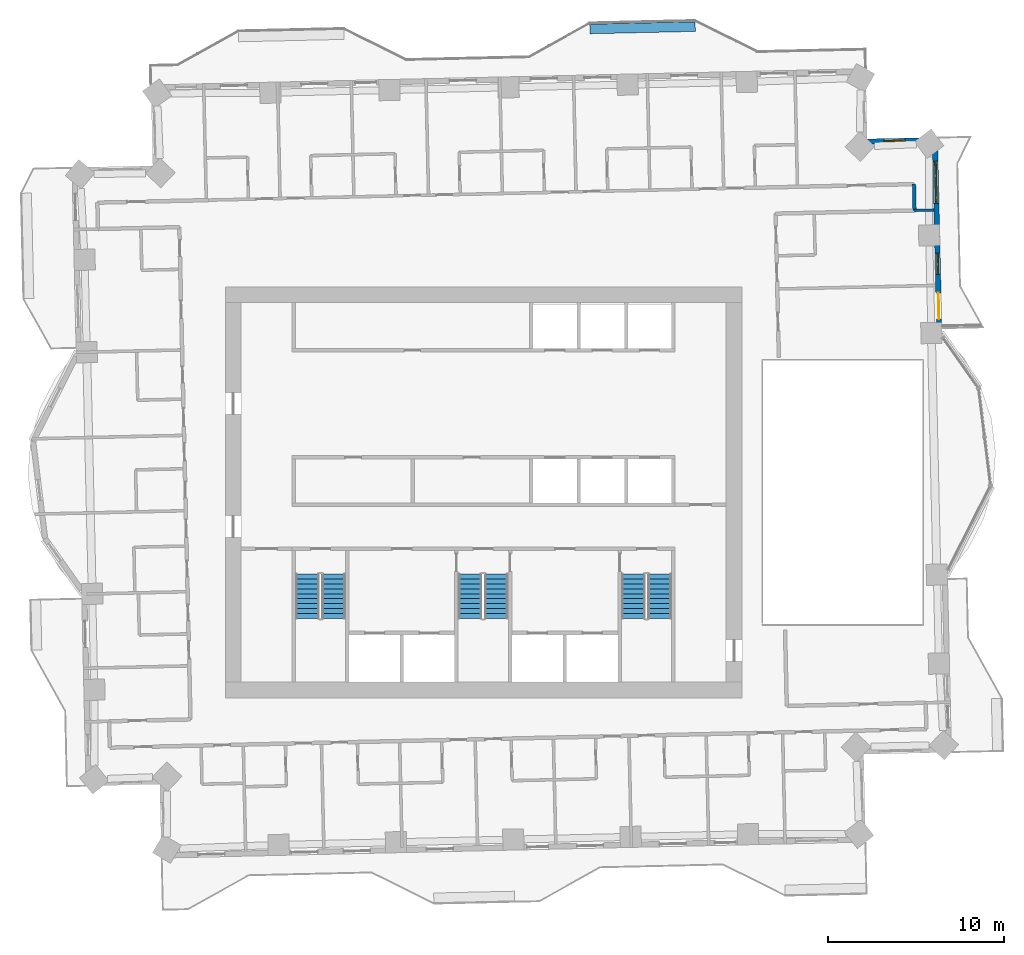
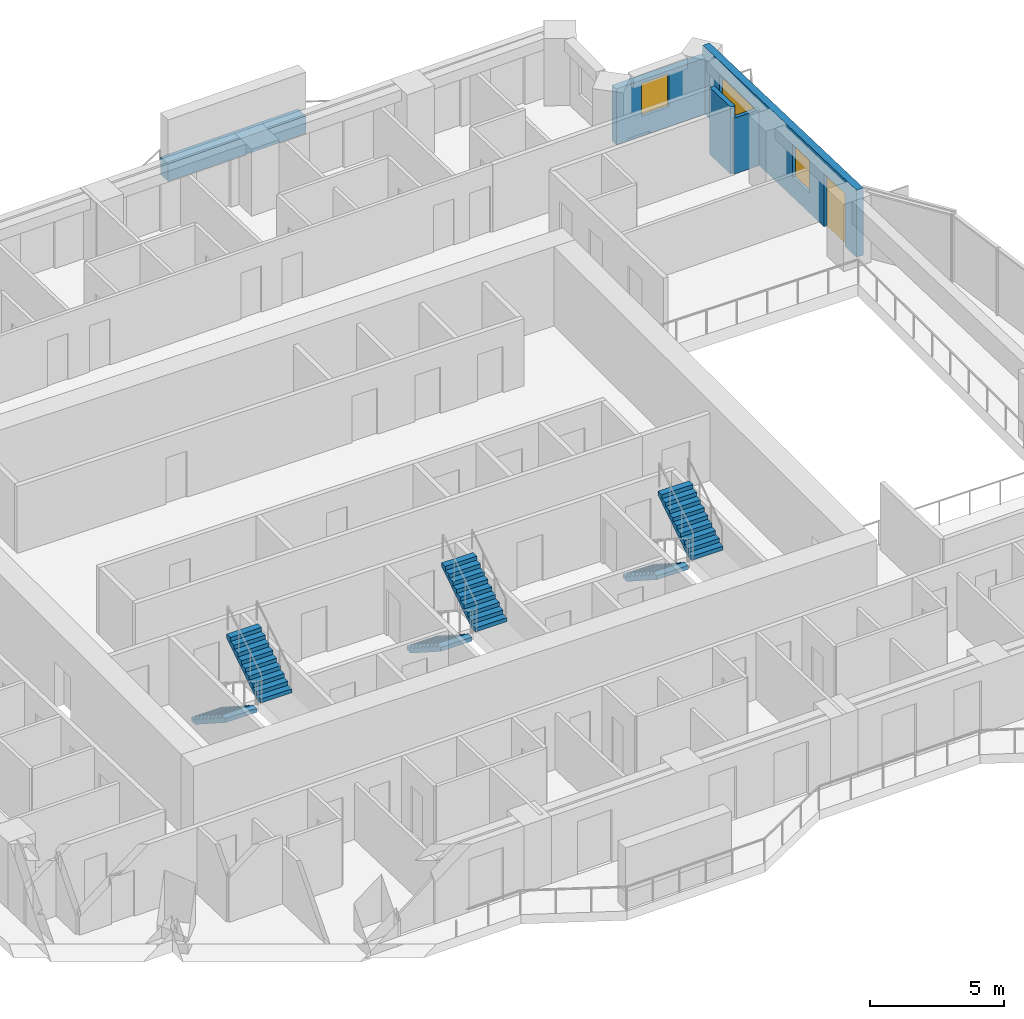
# One storey, part 10 of 14: 6 stair flights, 5 walls, 3 windows, 1 door, 4 openings, 3 elements without a shape of their own.
"""IFC4 building model written with IfcOpenShell, lengths in metres."""

import ifcopenshell
import ifcopenshell.guid

model = None  # the IFC model being written
_history = None  # IfcOwnerHistory: only IFC2X3 demands one
_inside = {}  # id of a spatial element -> (the spatial element, [elements in it])
_under = {}  # id of a project, library or spatial element -> (it, [spatial elements below it])
_declared = {}  # id of a project -> (the project, [libraries it declares])
_typed = {}  # id of a type object -> (the type object, [elements of that type])
_made_of = {}  # id of a material, layer set ... -> (it, [elements and type objects made of it])


def new_model(schema):
    """Start an empty IFC model of exactly this schema.

    Asked for "IFC4X3", IfcOpenShell would pick the latest addendum, in which some entities
    have other attributes; the version numbers below select the first issue.
    IFC2X3 requires an IfcOwnerHistory on every rooted entity: one is made here for all.
    """
    global model, _history
    if schema == "IFC4X3":
        model = ifcopenshell.file(schema_version=(4, 3, 0, 0))
    else:
        model = ifcopenshell.file(schema=schema)
    _inside.clear()
    _under.clear()
    _declared.clear()
    _typed.clear()
    _made_of.clear()
    _history = None
    if model.schema == "IFC2X3":
        org = make("IfcOrganization", Name="unknown")
        user = make(
            "IfcPersonAndOrganization",
            ThePerson=make("IfcPerson", FamilyName="unknown"),
            TheOrganization=org,
        )
        app = make(
            "IfcApplication",
            ApplicationDeveloper=org,
            Version="unknown",
            ApplicationFullName="unknown",
            ApplicationIdentifier="unknown",
        )
        _history = make(
            "IfcOwnerHistory",
            OwningUser=user,
            OwningApplication=app,
            ChangeAction="ADDED",
            CreationDate=0,
        )
    return model


def make(cls, **values):
    """One entity of the class cls with the attributes given. An attribute that is None is left unset."""
    return model.create_entity(
        cls, **{name: value for name, value in values.items() if value is not None}
    )


def rooted(cls, **values):
    """An entity with a GlobalId (a new one), such as an element, a storey or a relation."""
    return make(cls, GlobalId=ifcopenshell.guid.new(), OwnerHistory=_history, **values)


def si_unit(unit_type, name, prefix=None):
    """IfcSIUnit, for example si_unit("LENGTHUNIT", "METRE", prefix="MILLI")."""
    return make("IfcSIUnit", UnitType=unit_type, Prefix=prefix, Name=name)


def assignment(units):
    """IfcUnitAssignment: the units of a project."""
    return None if units is None else make("IfcUnitAssignment", Units=units)


def point(xyz):
    """IfcCartesianPoint."""
    return None if xyz is None else make("IfcCartesianPoint", Coordinates=xyz)


def direction(xyz):
    """IfcDirection."""
    return None if xyz is None else make("IfcDirection", DirectionRatios=xyz)


def frame(location, z_axis=None, x_axis=None):
    """IfcAxis2Placement3D, a coordinate frame: its origin and axes. An axis left out is left unset."""
    return make(
        "IfcAxis2Placement3D",
        Location=point(location),
        Axis=direction(z_axis),
        RefDirection=direction(x_axis),
    )


def frame_2d(location, x_axis=None):
    """IfcAxis2Placement2D, a coordinate frame in the plane: its origin and x axis."""
    return make(
        "IfcAxis2Placement2D", Location=point(location), RefDirection=direction(x_axis)
    )


def origin():
    """The frame at (0, 0, 0) with its axes left unset."""
    return frame((0.0, 0.0, 0.0))


def place(relative_to, where):
    """IfcLocalPlacement: puts the frame where relative to a parent placement (None: the world)."""
    return make(
        "IfcLocalPlacement", PlacementRelTo=relative_to, RelativePlacement=where
    )


def context(
    kind, dimensions, precision=None, world=None, true_north=None, identifier=None
):
    """IfcGeometricRepresentationContext, for example the 3D "Model" context."""
    return make(
        "IfcGeometricRepresentationContext",
        ContextIdentifier=identifier,
        ContextType=kind,
        CoordinateSpaceDimension=dimensions,
        Precision=precision,
        WorldCoordinateSystem=world,
        TrueNorth=true_north,
    )


def subcontext(parent, identifier, kind, view, scale=None):
    """IfcGeometricRepresentationSubContext, for example "Body" below "Model"."""
    return make(
        "IfcGeometricRepresentationSubContext",
        ContextIdentifier=identifier,
        ContextType=kind,
        ParentContext=parent,
        TargetScale=scale,
        TargetView=view,
    )


def project(units=None, contexts=None):
    """IfcProject with its units and contexts."""
    return rooted(
        "IfcProject",
        Name="project",
        RepresentationContexts=contexts,
        UnitsInContext=assignment(units),
    )


def spatial(cls, under=None, at=None, **own):
    """A site, building, storey or space (cls), placed at a placement, below another one or the project."""
    s = rooted(cls, ObjectPlacement=at, **own)
    if under is not None:
        _under.setdefault(under.id(), (under, []))[1].append(s)
    return s


def polyline(points):
    """IfcPolyline through the points."""
    return make("IfcPolyline", Points=[point(p) for p in points])


def profile(cls, at=None, kind="AREA", **sizes):
    """A parametric profile (cls). Its sizes go by their IFC names, for example OverallWidth=200.0."""
    return make(cls, ProfileType=kind, Position=at, **sizes)


def rectangle(**sizes):
    """IfcRectangleProfileDef."""
    return profile("IfcRectangleProfileDef", **sizes)


def outline(outer, holes=None, kind="AREA"):
    """IfcArbitraryClosedProfileDef: a profile drawn as a closed curve; with holes, ...WithVoids."""
    if holes is None:
        return make("IfcArbitraryClosedProfileDef", ProfileType=kind, OuterCurve=outer)
    return make(
        "IfcArbitraryProfileDefWithVoids",
        ProfileType=kind,
        OuterCurve=outer,
        InnerCurves=holes,
    )


def extrude(swept, where, along, depth):
    """IfcExtrudedAreaSolid: the profile swept, set in the frame where, extruded along a direction by depth."""
    return make(
        "IfcExtrudedAreaSolid",
        SweptArea=swept,
        Position=where,
        ExtrudedDirection=direction(along),
        Depth=depth,
    )


def shape(context_of_items, identifier, shape_type, items):
    """IfcShapeRepresentation: the items that make up one representation, for example the "Body"."""
    return make(
        "IfcShapeRepresentation",
        ContextOfItems=context_of_items,
        RepresentationIdentifier=identifier,
        RepresentationType=shape_type,
        Items=items,
    )


def material(Name=None, Category=None):
    """IfcMaterial."""
    return make("IfcMaterial", Name=Name, Category=Category)


def layer(
    of_material, thickness, ventilated=None, Name=None, Category=None, Priority=None
):
    """IfcMaterialLayer: one layer of a wall or slab, of a material (None: an air gap)."""
    return make(
        "IfcMaterialLayer",
        Material=of_material,
        LayerThickness=thickness,
        IsVentilated=ventilated,
        Name=Name,
        Category=Category,
        Priority=Priority,
    )


def layer_set(layers, Name=None):
    """IfcMaterialLayerSet."""
    return make("IfcMaterialLayerSet", MaterialLayers=layers, LayerSetName=Name)


def made_of(thing, what):
    """Note that an element or type object is made of a material, layer set ...; save() writes the relation."""
    if what is not None:
        _made_of.setdefault(what.id(), (what, []))[1].append(thing)
    return thing


def type_object(cls, material=None, **own):
    """A type object (cls), such as IfcWallType, which elements share."""
    return made_of(rooted(cls, **own), material)


def element(
    cls,
    number,
    at=None,
    inside=None,
    cuts=None,
    type_object=None,
    material=None,
    context=None,
    identifier="Body",
    shape_type=None,
    held_by="IfcProductDefinitionShape",
    body=None,
    shapes=None,
    **own,
):
    """One element of the class cls, such as IfcWall. Its Tag is "e" and its number.

    at: its placement. inside: the storey or other place that contains it. cuts: it is an
    opening in that element (IfcRelVoidsElement). A single representation is given by context,
    identifier, shape_type and body (its items); several are given by shapes. held_by: the class
    of the entity that holds the representations. save() writes the other relations.
    """
    e = rooted(cls, Tag="e%d" % number, ObjectPlacement=at, **own)
    if body is not None:
        shapes = [shape(context, identifier, shape_type, body)]
    if shapes is not None:
        e.Representation = make(held_by, Representations=shapes)
    if inside is not None:
        _inside.setdefault(inside.id(), (inside, []))[1].append(e)
    if cuts is not None:
        rooted(
            "IfcRelVoidsElement", RelatingBuildingElement=cuts, RelatedOpeningElement=e
        )
    if type_object is not None:
        _typed.setdefault(type_object.id(), (type_object, []))[1].append(e)
    return made_of(e, material)


def fill(opening, filler):
    """IfcRelFillsElement: the door or window that sits in an opening."""
    return rooted(
        "IfcRelFillsElement",
        RelatingOpeningElement=opening,
        RelatedBuildingElement=filler,
    )


def aggregate(whole, parts):
    """IfcRelAggregates: a whole, such as a stair, and the parts it consists of."""
    return rooted("IfcRelAggregates", RelatingObject=whole, RelatedObjects=parts)


def save(model, path):
    """Write the relations noted so far, then the file.

    IfcRelAggregates (storeys below a building ...), IfcRelContainedInSpatialStructure (elements
    in a storey), IfcRelDefinesByType, IfcRelAssociatesMaterial and IfcRelDeclares: one each for
    every whole, place, type object, material and project.
    """
    for whole, parts in _under.values():
        aggregate(whole, parts)
    for where, things in _inside.values():
        rooted(
            "IfcRelContainedInSpatialStructure",
            RelatedElements=things,
            RelatingStructure=where,
        )
    for kind, things in _typed.values():
        rooted("IfcRelDefinesByType", RelatedObjects=things, RelatingType=kind)
    for what, things in _made_of.values():
        rooted("IfcRelAssociatesMaterial", RelatedObjects=things, RelatingMaterial=what)
    for by, libraries in _declared.values():
        rooted("IfcRelDeclares", RelatingContext=by, RelatedDefinitions=libraries)
    model.write(path)


model = new_model("IFC4")

# Units and contexts
model_context = context("Model", 3, precision=1e-05, world=origin(), true_north=direction((0.0, 1.0)))
body_context = subcontext(model_context, "Body", "Model", "MODEL_VIEW")
ifc_project = project(units=[si_unit("LENGTHUNIT", "METRE"), si_unit("AREAUNIT", "SQUARE_METRE"), si_unit("VOLUMEUNIT", "CUBIC_METRE"), si_unit("PLANEANGLEUNIT", "RADIAN"), si_unit("MASSUNIT", "GRAM", prefix="KILO")], contexts=[model_context])

# Site, building, storey
site_placement = place(None, origin())
site = spatial("IfcSite", under=ifc_project, at=site_placement, CompositionType="ELEMENT")
building_placement = place(site_placement, origin())
building = spatial("IfcBuilding", under=site, at=building_placement, Name="Mangrove Gate Tower", CompositionType="ELEMENT")
storey_placement = place(building_placement, frame((0.0, 0.0, 186.10009765625)))
storey = spatial("IfcBuildingStorey", under=building, at=storey_placement, Name="L47", CompositionType="ELEMENT", Elevation=186.10009765625)

# Wall
ifc_material_1 = material(Name="Gypsum board on steel stud, EI 60", Category="steel")
ifc_layer_1 = layer(ifc_material_1, 0.199951171875)
ifc_layer_set_1 = layer_set([ifc_layer_1], Name="Corridor wall EI 60")
wall_type_1 = type_object("IfcWallType", Name="Corridor wall EI 60", PredefinedType="PARTITIONING", material=ifc_layer_set_1)
wall_1_placement = place(storey_placement, frame((24.51904296875, 16.048095703125, 0.0), z_axis=(0.0, 0.0, 1.0), x_axis=(-0.022632637625, 0.99974384905, 0.0)))
element("IfcWall", 1, at=wall_1_placement, inside=storey, type_object=wall_type_1, Name="WALL-L47-057", PredefinedType="PARTITIONING", context=body_context, shape_type="SweptSolid", body=[
    extrude(rectangle(XDim=1.49951171875, YDim=0.199951171875, at=frame_2d((0.749755859375, 0.0))), origin(), (0.0, 0.0, 1.0), 3.0498046875),
])

# Wall, openings, door, windows
ifc_material_2 = material(Name="Limestone", Category="masonry")
ifc_layer_2 = layer(ifc_material_2, 0.0400390625, Name="Limestone cladding")
ifc_material_3 = material(Name="Ventilated air gap")
ifc_layer_3 = layer(ifc_material_3, 0.0400390625, Name="Ventilated cavity")
ifc_material_4 = material(Name="Mineral wool insulation")
ifc_layer_4 = layer(ifc_material_4, 0.06005859375, Name="Insulation")
ifc_material_5 = material(Name="Breather membrane")
ifc_layer_5 = layer(ifc_material_5, 0.001953125, Name="Breather membrane")
ifc_material_6 = material(Name="Concrete C20/25 blockwork", Category="masonry")
ifc_layer_6 = layer(ifc_material_6, 0.14990234375, Name="Blockwork backing wall")
ifc_material_7 = material(Name="Gypsum plaster")
ifc_layer_7 = layer(ifc_material_7, 0.008056640625, Name="Internal plaster")
ifc_layer_set_2 = layer_set([ifc_layer_2, ifc_layer_3, ifc_layer_4, ifc_layer_5, ifc_layer_6, ifc_layer_7], Name="External wall 300 limestone cladding")
wall_type_2 = type_object("IfcWallType", Name="External wall 300 limestone cladding", PredefinedType="SOLIDWALL", material=ifc_layer_set_2)
wall_2_placement = place(storey_placement, frame((25.928955078125, 9.02490234375, 0.0), z_axis=(0.0, 0.0, 1.0), x_axis=(-0.022667601583, 0.999743056909, 0.0)))
wall_2 = element("IfcWall", 2, at=wall_2_placement, inside=storey, type_object=wall_type_2, Name="WALL-L47-E2", PredefinedType="SOLIDWALL", context=body_context, shape_type="SweptSolid", body=[
    extrude(rectangle(XDim=11.029052734375, YDim=0.300048828125, at=frame_2d((5.5146484375, 0.0))), origin(), (0.0, 0.0, 1.0), 3.0498046875),
])
opening_1_placement = place(wall_2_placement, frame((0.8330078125, 0.0, 0.0)))
opening_1 = element("IfcOpeningElement", 3, at=opening_1_placement, cuts=wall_2, Name="Opening BD1", PredefinedType="OPENING", context=body_context, shape_type="SweptSolid", body=[
    extrude(rectangle(XDim=1.5, YDim=2.39990234375, at=frame_2d((0.75, 1.199951171875))), frame((0.0, 0.159912109375, 0.0), z_axis=(0.0, -1.0, 0.0), x_axis=(1.0, 0.0, 0.0)), (0.0, 0.0, 1.0), 0.320068359375),
])
opening_2_placement = place(wall_2_placement, frame((3.388916015625, 0.0, 0.89990234375)))
opening_2 = element("IfcOpeningElement", 4, at=opening_2_placement, cuts=wall_2, Name="Opening W1", PredefinedType="OPENING", context=body_context, shape_type="SweptSolid", body=[
    extrude(rectangle(XDim=1.199951171875, YDim=1.5, at=frame_2d((0.60009765625, 0.75))), frame((0.0, 0.159912109375, 0.0), z_axis=(0.0, -1.0, 0.0), x_axis=(1.0, 0.0, 0.0)), (0.0, 0.0, 1.0), 0.320068359375),
])
opening_3_placement = place(wall_2_placement, frame((7.422119140625, 0.0, 0.89990234375)))
opening_3 = element("IfcOpeningElement", 5, at=opening_3_placement, cuts=wall_2, Name="Opening W2", PredefinedType="OPENING", context=body_context, shape_type="SweptSolid", body=[
    extrude(rectangle(XDim=2.39990234375, YDim=1.5, at=frame_2d((1.199951171875, 0.75))), frame((0.0, 0.159912109375, 0.0), z_axis=(0.0, -1.0, 0.0), x_axis=(1.0, 0.0, 0.0)), (0.0, 0.0, 1.0), 0.320068359375),
])
ifc_material_8 = material(Name="Aluminium frame with laminated clear glass", Category="aluminium")
door_type = type_object("IfcDoorType", Name="Balcony sliding door 1500x2400", OperationType="SLIDING_TO_LEFT", PredefinedType="DOOR", material=ifc_material_8)
door_placement = place(opening_1_placement, origin())
door = element("IfcDoor", 6, at=door_placement, inside=storey, type_object=door_type, Name="DOOR-L47-E2-1", OperationType="SLIDING_TO_LEFT", OverallHeight=2.39990234375, OverallWidth=1.5, PredefinedType="DOOR", context=body_context, shape_type="SweptSolid", body=[
    extrude(rectangle(XDim=1.5, YDim=2.39990234375, at=frame_2d((0.75, 1.199951171875))), frame((0.0, 0.02490234375, 0.0), z_axis=(0.0, -1.0, 0.0), x_axis=(1.0, 0.0, 0.0)), (0.0, 0.0, 1.0), 0.050048828125),
])
fill(opening_1, door)
ifc_material_9 = material(Name="Aluminium frame with double-glazed low-e glass", Category="aluminium")
window_type_1 = type_object("IfcWindowType", Name="Corner room window 2400x1500", PartitioningType="DOUBLE_PANEL_VERTICAL", PredefinedType="WINDOW", material=ifc_material_9)
window_1_placement = place(opening_3_placement, origin())
window_1 = element("IfcWindow", 7, at=window_1_placement, inside=storey, type_object=window_type_1, Name="WIN-L47-E2-3", OverallHeight=1.5, OverallWidth=2.39990234375, PartitioningType="DOUBLE_PANEL_VERTICAL", PredefinedType="WINDOW", context=body_context, shape_type="SweptSolid", body=[
    extrude(rectangle(XDim=2.39990234375, YDim=1.5, at=frame_2d((1.199951171875, 0.75))), frame((0.0, 0.030029296875, 0.0), z_axis=(0.0, -1.0, 0.0), x_axis=(1.0, 0.0, 0.0)), (0.0, 0.0, 1.0), 0.06005859375),
])
fill(opening_3, window_1)
ifc_material_10 = material(Name="Aluminium frame with double-glazed low-e glass", Category="aluminium")
window_type_2 = type_object("IfcWindowType", Name="Side lite 1200x1500", PartitioningType="SINGLE_PANEL", PredefinedType="WINDOW", material=ifc_material_10)
window_2_placement = place(opening_2_placement, origin())
window_2 = element("IfcWindow", 8, at=window_2_placement, inside=storey, type_object=window_type_2, Name="WIN-L47-E2-2", OverallHeight=1.5, OverallWidth=1.199951171875, PartitioningType="SINGLE_PANEL", PredefinedType="WINDOW", context=body_context, shape_type="SweptSolid", body=[
    extrude(rectangle(XDim=1.199951171875, YDim=1.5, at=frame_2d((0.60009765625, 0.75))), frame((0.0, 0.030029296875, 0.0), z_axis=(0.0, -1.0, 0.0), x_axis=(1.0, 0.0, 0.0)), (0.0, 0.0, 1.0), 0.06005859375),
])
fill(opening_2, window_2)

# Wall, opening, window
wall_3_placement = place(storey_placement, frame((25.678955078125, 20.051025390625, 0.0), z_axis=(0.0, 0.0, 1.0), x_axis=(-0.999740826251, -0.022765770952, 0.0)))
wall_3 = element("IfcWall", 9, at=wall_3_placement, inside=storey, type_object=wall_type_2, Name="WALL-L47-N3", PredefinedType="SOLIDWALL", context=body_context, shape_type="SweptSolid", body=[
    extrude(rectangle(XDim=4.0, YDim=0.300048828125, at=frame_2d((2.0, 0.0))), origin(), (0.0, 0.0, 1.0), 2.5498046875),
])
opening_4_placement = place(wall_3_placement, frame((1.699951171875, 0.0, 0.89990234375)))
opening_4 = element("IfcOpeningElement", 10, at=opening_4_placement, cuts=wall_3, Name="Opening W1", PredefinedType="OPENING", context=body_context, shape_type="SweptSolid", body=[
    extrude(rectangle(XDim=1.199951171875, YDim=1.5, at=frame_2d((0.60009765625, 0.75))), frame((0.0, 0.159912109375, 0.0), z_axis=(0.0, -1.0, 0.0), x_axis=(1.0, 0.0, 0.0)), (0.0, 0.0, 1.0), 0.320068359375),
])
window_3_placement = place(opening_4_placement, origin())
window_3 = element("IfcWindow", 11, at=window_3_placement, inside=storey, type_object=window_type_2, Name="WIN-L47-N3-1", OverallHeight=1.5, OverallWidth=1.199951171875, PartitioningType="SINGLE_PANEL", PredefinedType="WINDOW", context=body_context, shape_type="SweptSolid", body=[
    extrude(rectangle(XDim=1.199951171875, YDim=1.5, at=frame_2d((0.60009765625, 0.75))), frame((0.0, 0.030029296875, 0.0), z_axis=(0.0, -1.0, 0.0), x_axis=(1.0, 0.0, 0.0)), (0.0, 0.0, 1.0), 0.06005859375),
])
fill(opening_4, window_3)

# Walls
ifc_material_11 = material(Name="Gypsum board on steel stud, EI 60", Category="steel")
ifc_layer_8 = layer(ifc_material_11, 0.14990234375)
ifc_layer_set_3 = layer_set([ifc_layer_8], Name="Party wall 150 EI 60")
wall_type_3 = type_object("IfcWallType", Name="Party wall 150 EI 60", PredefinedType="PARTITIONING", material=ifc_layer_set_3)
wall_4_placement = place(storey_placement, frame((24.51904296875, 16.0439453125, 0.0), z_axis=(0.0, 0.0, 1.0), x_axis=(0.999738732953, 0.022857511541, 0.0)))
element("IfcWall", 12, at=wall_4_placement, inside=storey, type_object=wall_type_3, Name="WALL-L47-055", PredefinedType="PARTITIONING", context=body_context, shape_type="SweptSolid", body=[
    extrude(rectangle(XDim=1.10009765625, YDim=0.14990234375, at=frame_2d((0.550048828125, 0.0))), origin(), (0.0, 0.0, 1.0), 2.5498046875),
])
ifc_material_12 = material(Name="Concrete C32/40", Category="concrete")
ifc_layer_9 = layer(ifc_material_12, 0.199951171875, Name="Planter trough wall")
ifc_material_13 = material(Name="Bituminous waterproofing membrane")
ifc_layer_10 = layer(ifc_material_13, 0.0048828125, Name="Waterproofing")
ifc_material_14 = material(Name="Drainage board and gravel")
ifc_layer_11 = layer(ifc_material_14, 0.044921875, Name="Drainage layer")
ifc_material_15 = material(Name="Planting soil")
ifc_layer_12 = layer(ifc_material_15, 0.300048828125, Name="Growing medium")
ifc_layer_set_4 = layer_set([ifc_layer_9, ifc_layer_10, ifc_layer_11, ifc_layer_12], Name="Planter wall 550 C32/40")
wall_type_4 = type_object("IfcWallType", Name="Planter wall 550 C32/40", PredefinedType="USERDEFINED", material=ifc_layer_set_4)
wall_5_placement = place(storey_placement, frame((6.0400390625, 26.3720703125, 0.0), z_axis=(0.0, 0.0, 1.0), x_axis=(0.999743094499, 0.022665943652, 0.0)))
element("IfcWall", 13, at=wall_5_placement, inside=storey, type_object=wall_type_4, Name="PLANTER L47 N0.1", ObjectType="PLANTER", PredefinedType="USERDEFINED", context=body_context, shape_type="SweptSolid", body=[
    extrude(rectangle(XDim=5.99951171875, YDim=0.550048828125, at=frame_2d((2.999755859375, 0.0))), origin(), (0.0, 0.0, 1.0), 0.7998046875),
])

# Stair, stair flights
ifc_material_16 = material(Name="Concrete C40/50", Category="concrete")
stair_type = type_object("IfcStairType", Name="Core stair 1350", PredefinedType="HALF_TURN_STAIR", material=ifc_material_16)
stair_1_placement = place(storey_placement, origin())
stair_1 = element("IfcStair", 14, at=stair_1_placement, inside=storey, type_object=stair_type, Name="L47 Stair 1", PredefinedType="HALF_TURN_STAIR")
ifc_material_17 = material(Name="Concrete C40/50", Category="concrete")
stair_flight_type = type_object("IfcStairFlightType", Name="Core stair flight 1350", PredefinedType="STRAIGHT", material=ifc_material_17)
stair_flight_1_placement = place(storey_placement, frame((-10.02490234375, -4.64990234375, 0.0), z_axis=(0.0, 0.0, 1.0), x_axis=(0.0, -1.0, 0.0)))
stair_flight_1 = element("IfcStairFlight", 15, at=stair_flight_1_placement, type_object=stair_flight_type, Name="ST1 flight 1", NumberOfRisers=10, NumberOfTreads=9, PredefinedType="STRAIGHT", RiserHeight=0.18, TreadLength=0.28, context=body_context, shape_type="SweptSolid", body=[
    extrude(outline(polyline([(0.0, 0.0), (0.0, 0.179931640625), (0.280029296875, 0.179931640625), (0.280029296875, 0.360107421875), (0.56005859375, 0.360107421875), (0.56005859375, 0.5400390625), (0.840087890625, 0.5400390625), (0.840087890625, 0.719970703125), (1.1201171875, 0.719970703125), (1.1201171875, 0.89990234375), (1.39990234375, 0.89990234375), (1.39990234375, 1.080078125), (1.679931640625, 1.080078125), (1.679931640625, 1.260009765625), (1.9599609375, 1.260009765625), (1.9599609375, 1.43994140625), (2.239990234375, 1.43994140625), (2.239990234375, 1.6201171875), (2.52001953125, 1.6201171875), (2.52001953125, 1.800048828125), (2.52001953125, 1.44189453125), (0.277099609375, 0.0), (0.0, 0.0)])), frame((0.0, 0.675048828125, 0.0), z_axis=(0.0, -1.0, 0.0), x_axis=(1.0, 0.0, 0.0)), (0.0, 0.0, 1.0), 1.35009765625),
])
stair_flight_2_placement = place(storey_placement, frame((-8.52490234375, -7.169921875, 1.7998046875), z_axis=(0.0, 0.0, 1.0), x_axis=(0.0, 1.0, 0.0)))
stair_flight_2 = element("IfcStairFlight", 16, at=stair_flight_2_placement, type_object=stair_flight_type, Name="ST1 flight 2", NumberOfRisers=10, NumberOfTreads=9, PredefinedType="STRAIGHT", RiserHeight=0.18, TreadLength=0.28, context=body_context, shape_type="SweptSolid", body=[
    extrude(outline(polyline([(0.0, 0.0), (0.0, 0.179931640625), (0.280029296875, 0.179931640625), (0.280029296875, 0.360107421875), (0.56005859375, 0.360107421875), (0.56005859375, 0.5400390625), (0.840087890625, 0.5400390625), (0.840087890625, 0.719970703125), (1.1201171875, 0.719970703125), (1.1201171875, 0.89990234375), (1.39990234375, 0.89990234375), (1.39990234375, 1.080078125), (1.679931640625, 1.080078125), (1.679931640625, 1.260009765625), (1.9599609375, 1.260009765625), (1.9599609375, 1.43994140625), (2.239990234375, 1.43994140625), (2.239990234375, 1.6201171875), (2.52001953125, 1.6201171875), (2.52001953125, 1.800048828125), (2.52001953125, 1.44189453125), (0.277099609375, 0.0), (0.0, 0.0)])), frame((0.0, 0.675048828125, 0.0), z_axis=(0.0, -1.0, 0.0), x_axis=(1.0, 0.0, 0.0)), (0.0, 0.0, 1.0), 1.35009765625),
])
aggregate(stair_1, [stair_flight_1, stair_flight_2])

stair_2_placement = place(storey_placement, origin())
stair_2 = element("IfcStair", 17, at=stair_2_placement, inside=storey, type_object=stair_type, Name="L47 Stair 2", PredefinedType="HALF_TURN_STAIR")
stair_flight_3_placement = place(storey_placement, frame((-0.77490234375, -4.64990234375, 0.0), z_axis=(0.0, 0.0, 1.0), x_axis=(0.0, -1.0, 0.0)))
stair_flight_3 = element("IfcStairFlight", 18, at=stair_flight_3_placement, type_object=stair_flight_type, Name="ST2 flight 1", NumberOfRisers=10, NumberOfTreads=9, PredefinedType="STRAIGHT", RiserHeight=0.18, TreadLength=0.28, context=body_context, shape_type="SweptSolid", body=[
    extrude(outline(polyline([(0.0, 0.0), (0.0, 0.179931640625), (0.280029296875, 0.179931640625), (0.280029296875, 0.360107421875), (0.56005859375, 0.360107421875), (0.56005859375, 0.5400390625), (0.840087890625, 0.5400390625), (0.840087890625, 0.719970703125), (1.1201171875, 0.719970703125), (1.1201171875, 0.89990234375), (1.39990234375, 0.89990234375), (1.39990234375, 1.080078125), (1.679931640625, 1.080078125), (1.679931640625, 1.260009765625), (1.9599609375, 1.260009765625), (1.9599609375, 1.43994140625), (2.239990234375, 1.43994140625), (2.239990234375, 1.6201171875), (2.52001953125, 1.6201171875), (2.52001953125, 1.800048828125), (2.52001953125, 1.44189453125), (0.277099609375, 0.0), (0.0, 0.0)])), frame((0.0, 0.675048828125, 0.0), z_axis=(0.0, -1.0, 0.0), x_axis=(1.0, 0.0, 0.0)), (0.0, 0.0, 1.0), 1.35009765625),
])
stair_flight_4_placement = place(storey_placement, frame((0.72509765625, -7.169921875, 1.7998046875), z_axis=(0.0, 0.0, 1.0), x_axis=(0.0, 1.0, 0.0)))
stair_flight_4 = element("IfcStairFlight", 19, at=stair_flight_4_placement, type_object=stair_flight_type, Name="ST2 flight 2", NumberOfRisers=10, NumberOfTreads=9, PredefinedType="STRAIGHT", RiserHeight=0.18, TreadLength=0.28, context=body_context, shape_type="SweptSolid", body=[
    extrude(outline(polyline([(0.0, 0.0), (0.0, 0.179931640625), (0.280029296875, 0.179931640625), (0.280029296875, 0.360107421875), (0.56005859375, 0.360107421875), (0.56005859375, 0.5400390625), (0.840087890625, 0.5400390625), (0.840087890625, 0.719970703125), (1.1201171875, 0.719970703125), (1.1201171875, 0.89990234375), (1.39990234375, 0.89990234375), (1.39990234375, 1.080078125), (1.679931640625, 1.080078125), (1.679931640625, 1.260009765625), (1.9599609375, 1.260009765625), (1.9599609375, 1.43994140625), (2.239990234375, 1.43994140625), (2.239990234375, 1.6201171875), (2.52001953125, 1.6201171875), (2.52001953125, 1.800048828125), (2.52001953125, 1.44189453125), (0.277099609375, 0.0), (0.0, 0.0)])), frame((0.0, 0.675048828125, 0.0), z_axis=(0.0, -1.0, 0.0), x_axis=(1.0, 0.0, 0.0)), (0.0, 0.0, 1.0), 1.35009765625),
])
aggregate(stair_2, [stair_flight_3, stair_flight_4])

stair_3_placement = place(storey_placement, origin())
stair_3 = element("IfcStair", 20, at=stair_3_placement, inside=storey, type_object=stair_type, Name="L47 Stair 3", PredefinedType="HALF_TURN_STAIR")
stair_flight_5_placement = place(storey_placement, frame((8.52490234375, -4.64990234375, 0.0), z_axis=(0.0, 0.0, 1.0), x_axis=(0.0, -1.0, 0.0)))
stair_flight_5 = element("IfcStairFlight", 21, at=stair_flight_5_placement, type_object=stair_flight_type, Name="ST3 flight 1", NumberOfRisers=10, NumberOfTreads=9, PredefinedType="STRAIGHT", RiserHeight=0.18, TreadLength=0.28, context=body_context, shape_type="SweptSolid", body=[
    extrude(outline(polyline([(0.0, 0.0), (0.0, 0.179931640625), (0.280029296875, 0.179931640625), (0.280029296875, 0.360107421875), (0.56005859375, 0.360107421875), (0.56005859375, 0.5400390625), (0.840087890625, 0.5400390625), (0.840087890625, 0.719970703125), (1.1201171875, 0.719970703125), (1.1201171875, 0.89990234375), (1.39990234375, 0.89990234375), (1.39990234375, 1.080078125), (1.679931640625, 1.080078125), (1.679931640625, 1.260009765625), (1.9599609375, 1.260009765625), (1.9599609375, 1.43994140625), (2.239990234375, 1.43994140625), (2.239990234375, 1.6201171875), (2.52001953125, 1.6201171875), (2.52001953125, 1.800048828125), (2.52001953125, 1.44189453125), (0.277099609375, 0.0), (0.0, 0.0)])), frame((0.0, 0.675048828125, 0.0), z_axis=(0.0, -1.0, 0.0), x_axis=(1.0, 0.0, 0.0)), (0.0, 0.0, 1.0), 1.35009765625),
])
stair_flight_6_placement = place(storey_placement, frame((10.02490234375, -7.169921875, 1.7998046875), z_axis=(0.0, 0.0, 1.0), x_axis=(0.0, 1.0, 0.0)))
stair_flight_6 = element("IfcStairFlight", 22, at=stair_flight_6_placement, type_object=stair_flight_type, Name="ST3 flight 2", NumberOfRisers=10, NumberOfTreads=9, PredefinedType="STRAIGHT", RiserHeight=0.18, TreadLength=0.28, context=body_context, shape_type="SweptSolid", body=[
    extrude(outline(polyline([(0.0, 0.0), (0.0, 0.179931640625), (0.280029296875, 0.179931640625), (0.280029296875, 0.360107421875), (0.56005859375, 0.360107421875), (0.56005859375, 0.5400390625), (0.840087890625, 0.5400390625), (0.840087890625, 0.719970703125), (1.1201171875, 0.719970703125), (1.1201171875, 0.89990234375), (1.39990234375, 0.89990234375), (1.39990234375, 1.080078125), (1.679931640625, 1.080078125), (1.679931640625, 1.260009765625), (1.9599609375, 1.260009765625), (1.9599609375, 1.43994140625), (2.239990234375, 1.43994140625), (2.239990234375, 1.6201171875), (2.52001953125, 1.6201171875), (2.52001953125, 1.800048828125), (2.52001953125, 1.44189453125), (0.277099609375, 0.0), (0.0, 0.0)])), frame((0.0, 0.675048828125, 0.0), z_axis=(0.0, -1.0, 0.0), x_axis=(1.0, 0.0, 0.0)), (0.0, 0.0, 1.0), 1.35009765625),
])
aggregate(stair_3, [stair_flight_5, stair_flight_6])

save(model, "model.ifc")
